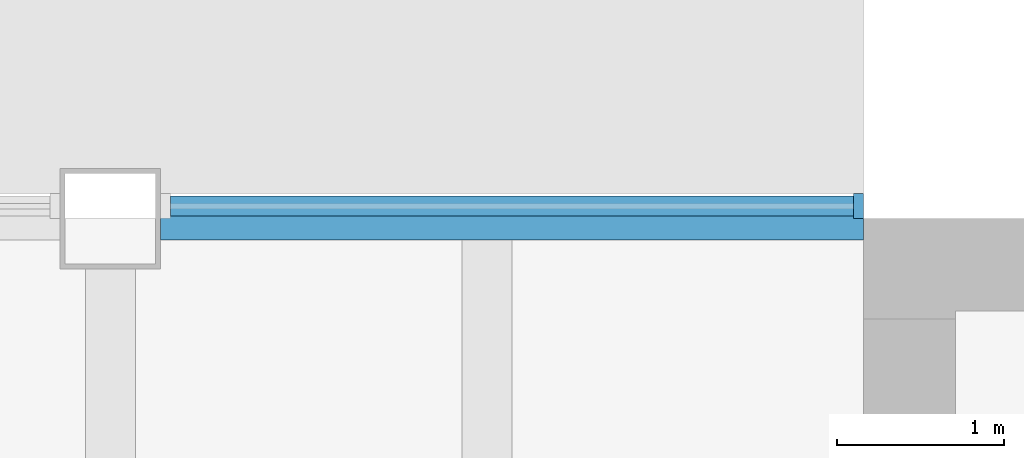
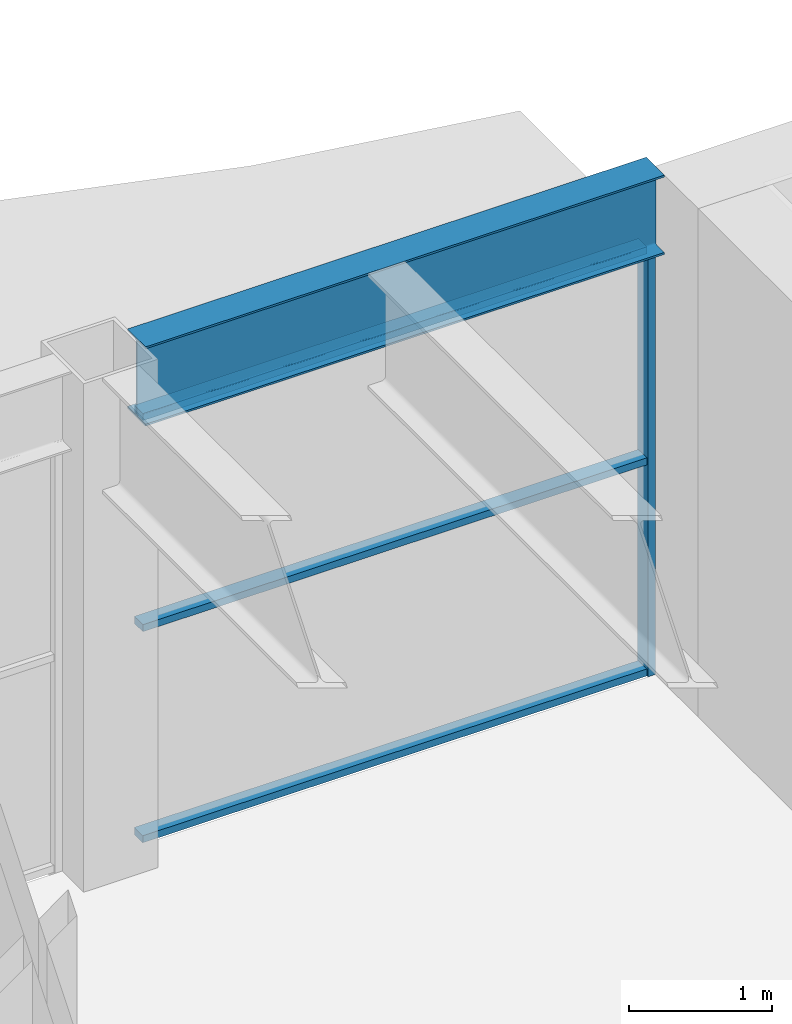
# One storey, part 6 of 15: 4 members, 1 beam, 1 element without a shape of its own.
"""IFC4 building model written with IfcOpenShell, lengths in metres."""

from ifc_helpers import new_model, si_unit, direction, frame, origin, origin_2d, place, context, subcontext, project, spatial, rectangle, i_section, extrude, material, material_profile, profile_set, type_object, element, aggregate, save


model = new_model("IFC4")

# Units and contexts
model_context = context("Model", 3, precision=1e-05, world=origin(), true_north=direction((0.0, 1.0)))
body_context = subcontext(model_context, "Body", "Model", "MODEL_VIEW")
ifc_project = project(units=[si_unit("LENGTHUNIT", "METRE"), si_unit("AREAUNIT", "SQUARE_METRE"), si_unit("VOLUMEUNIT", "CUBIC_METRE"), si_unit("PLANEANGLEUNIT", "RADIAN"), si_unit("MASSUNIT", "GRAM", prefix="KILO")], contexts=[model_context])

# Site, building, storey
site_placement = place(None, origin())
site = spatial("IfcSite", under=ifc_project, at=site_placement, CompositionType="ELEMENT")
building_placement = place(site_placement, origin())
building = spatial("IfcBuilding", under=site, at=building_placement, Name="Sennacour Bend Tower", CompositionType="ELEMENT")
storey_placement = place(building_placement, frame((0.0, 0.0, 323.0)))
storey = spatial("IfcBuildingStorey", under=building, at=storey_placement, Name="L74", CompositionType="ELEMENT", Elevation=323.0)

# Curtain wall, members
ifc_material_1 = material(Name="Bronze anodised aluminium curtain wall with clear glass", Category="aluminium")
curtain_wall_type = type_object("IfcCurtainWallType", Name="CURTAIN WALL EXEC", PredefinedType="NOTDEFINED", material=ifc_material_1)
curtain_wall_placement = place(storey_placement, origin())
curtain_wall = element("IfcCurtainWall", 1, at=curtain_wall_placement, inside=storey, type_object=curtain_wall_type, Name="Executive floor glass wall L74", PredefinedType="NOTDEFINED")
ifc_material_2 = material(Name="Aluminium 6063-T6", Category="aluminium")
ifc_material_profile_1 = material_profile(ifc_material_2, rectangle(XDim=0.14990234375, YDim=0.06005859375, at=origin_2d()), Name="Aluminium 6063-T6", Category="aluminium")
ifc_profile_set_1 = profile_set([ifc_material_profile_1], Name="Aluminium 6063-T6")
member_type_1 = type_object("IfcMemberType", Name="CW-MULLION-150X60", PredefinedType="MULLION", material=ifc_profile_set_1)
member_1_placement = place(storey_placement, frame((53.969970703125, 22.574951171875, 0.0), z_axis=(0.0, 0.0, 1.0), x_axis=(0.0, -1.0, 0.0)))
member_1 = element("IfcMember", 2, at=member_1_placement, type_object=member_type_1, Name="GW3 curtain wall mullion 1", PredefinedType="MULLION", context=body_context, shape_type="SweptSolid", body=[
    extrude(rectangle(XDim=0.14990234375, YDim=0.06005859375, at=origin_2d()), origin(), (0.0, 0.0, 1.0), 3.672119140625),
])
ifc_material_profile_2 = material_profile(ifc_material_2, rectangle(XDim=0.1201171875, YDim=0.06005859375, at=origin_2d()), Name="Aluminium 6063-T6", Category="aluminium")
ifc_profile_set_2 = profile_set([ifc_material_profile_2], Name="Aluminium 6063-T6")
member_type_2 = type_object("IfcMemberType", Name="CW-TRANSOM-120X60", PredefinedType="USERDEFINED", material=ifc_profile_set_2)
member_2_placement = place(storey_placement, frame((53.93994140625, 22.574951171875, 0.030029296875), z_axis=(-1.0, 0.0, 0.0), x_axis=(0.0, -1.0, 0.0)))
member_2 = element("IfcMember", 3, at=member_2_placement, type_object=member_type_2, Name="GW3 curtain wall transom 1.1", ObjectType="TRANSOM", PredefinedType="USERDEFINED", context=body_context, shape_type="SweptSolid", body=[
    extrude(rectangle(XDim=0.1201171875, YDim=0.06005859375, at=origin_2d()), origin(), (0.0, 0.0, 1.0), 4.079833984375),
])
member_3_placement = place(storey_placement, frame((53.93994140625, 22.574951171875, 1.8359375), z_axis=(-1.0, 0.0, 0.0), x_axis=(0.0, -1.0, 0.0)))
member_3 = element("IfcMember", 4, at=member_3_placement, type_object=member_type_2, Name="GW3 curtain wall transom 1.2", ObjectType="TRANSOM", PredefinedType="USERDEFINED", context=body_context, shape_type="SweptSolid", body=[
    extrude(rectangle(XDim=0.1201171875, YDim=0.06005859375, at=origin_2d()), origin(), (0.0, 0.0, 1.0), 4.079833984375),
])
member_4_placement = place(storey_placement, frame((53.93994140625, 22.574951171875, 3.64208984375), z_axis=(-1.0, 0.0, 0.0), x_axis=(0.0, -1.0, 0.0)))
member_4 = element("IfcMember", 5, at=member_4_placement, type_object=member_type_2, Name="GW3 curtain wall transom 1.3", ObjectType="TRANSOM", PredefinedType="USERDEFINED", context=body_context, shape_type="SweptSolid", body=[
    extrude(rectangle(XDim=0.1201171875, YDim=0.06005859375, at=origin_2d()), origin(), (0.0, 0.0, 1.0), 4.079833984375),
])
aggregate(curtain_wall, [member_1, member_2, member_3, member_4])

# Beam
ifc_material_3 = material(Name="Steel ASTM A992 Grade 50", Category="steel")
ifc_material_profile_3 = material_profile(ifc_material_3, i_section(OverallWidth=0.25390625, OverallDepth=0.677978515625, WebThickness=0.01171875, FlangeThickness=0.016357421875, FilletRadius=0.01513671875, at=origin_2d()), Name="Steel ASTM A992 Grade 50", Category="steel")
ifc_profile_set_3 = profile_set([ifc_material_profile_3], Name="Steel ASTM A992 Grade 50")
beam_type = type_object("IfcBeamType", Name="Spandrel beam W690X125", PredefinedType="SPANDREL", material=ifc_profile_set_3)
beam_placement = place(storey_placement, frame((49.800048828125, 22.5, 4.010986328125), z_axis=(1.0, 0.0, 0.0), x_axis=(0.0, 1.0, 0.0)))
element("IfcBeam", 6, at=beam_placement, inside=storey, type_object=beam_type, Name="Spandrel beam SP7 L75-017", PredefinedType="SPANDREL", context=body_context, shape_type="SweptSolid", body=[
    extrude(i_section(OverallWidth=0.25390625, OverallDepth=0.677978515625, WebThickness=0.01171875, FlangeThickness=0.016357421875, FilletRadius=0.01513671875, at=origin_2d()), origin(), (0.0, 0.0, 1.0), 4.199951171875),
])

save(model, "model.ifc")
